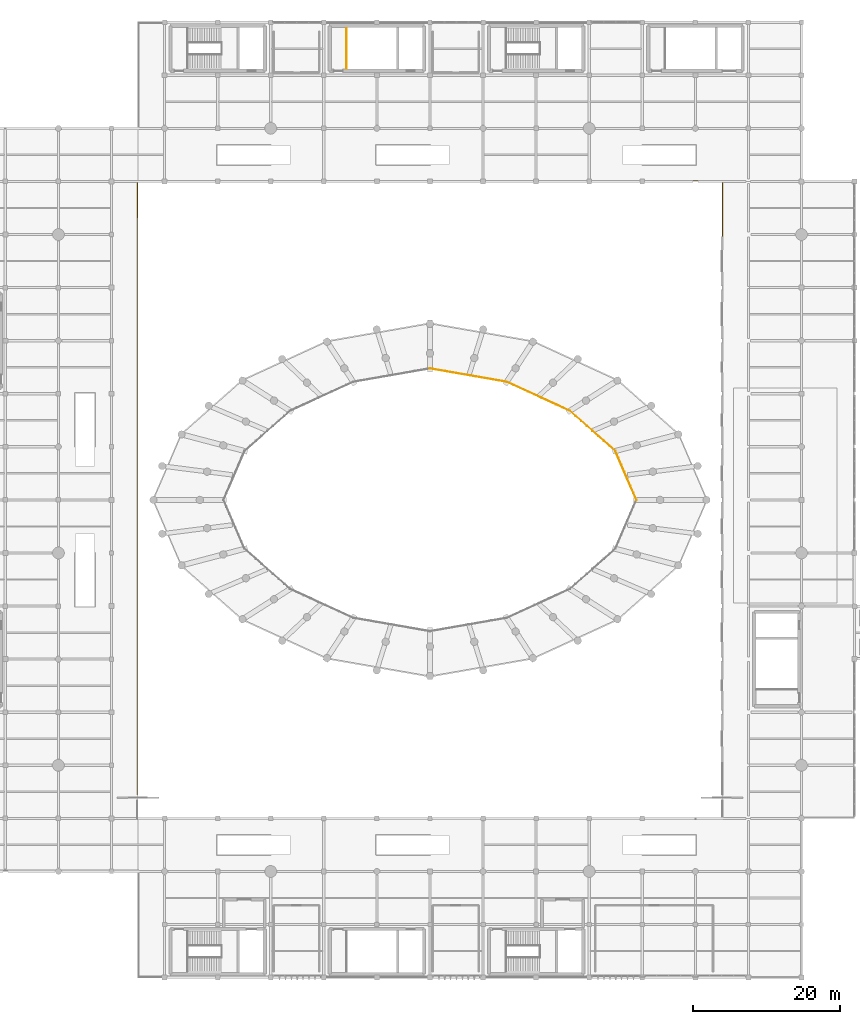
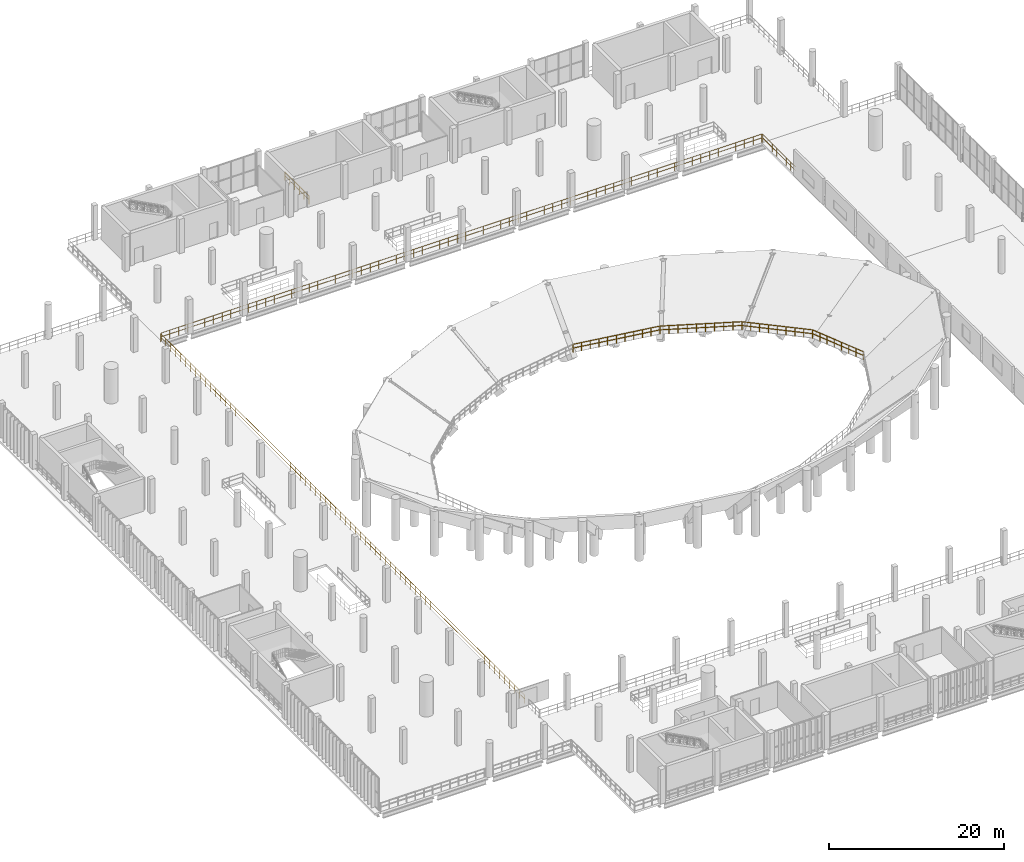
# One storey, part 100 of 105: 6 railings.
"""IFC4 building model written with IfcOpenShell, lengths in metres."""

import ifcopenshell
import ifcopenshell.guid

model = None  # the IFC model being written
_history = None  # IfcOwnerHistory: only IFC2X3 demands one
_inside = {}  # id of a spatial element -> (the spatial element, [elements in it])
_under = {}  # id of a project, library or spatial element -> (it, [spatial elements below it])
_declared = {}  # id of a project -> (the project, [libraries it declares])
_typed = {}  # id of a type object -> (the type object, [elements of that type])
_made_of = {}  # id of a material, layer set ... -> (it, [elements and type objects made of it])


def new_model(schema):
    """Start an empty IFC model of exactly this schema.

    Asked for "IFC4X3", IfcOpenShell would pick the latest addendum, in which some entities
    have other attributes; the version numbers below select the first issue.
    IFC2X3 requires an IfcOwnerHistory on every rooted entity: one is made here for all.
    """
    global model, _history
    if schema == "IFC4X3":
        model = ifcopenshell.file(schema_version=(4, 3, 0, 0))
    else:
        model = ifcopenshell.file(schema=schema)
    _inside.clear()
    _under.clear()
    _declared.clear()
    _typed.clear()
    _made_of.clear()
    _history = None
    if model.schema == "IFC2X3":
        org = make("IfcOrganization", Name="unknown")
        user = make(
            "IfcPersonAndOrganization",
            ThePerson=make("IfcPerson", FamilyName="unknown"),
            TheOrganization=org,
        )
        app = make(
            "IfcApplication",
            ApplicationDeveloper=org,
            Version="unknown",
            ApplicationFullName="unknown",
            ApplicationIdentifier="unknown",
        )
        _history = make(
            "IfcOwnerHistory",
            OwningUser=user,
            OwningApplication=app,
            ChangeAction="ADDED",
            CreationDate=0,
        )
    return model


def make(cls, **values):
    """One entity of the class cls with the attributes given. An attribute that is None is left unset."""
    return model.create_entity(
        cls, **{name: value for name, value in values.items() if value is not None}
    )


def rooted(cls, **values):
    """An entity with a GlobalId (a new one), such as an element, a storey or a relation."""
    return make(cls, GlobalId=ifcopenshell.guid.new(), OwnerHistory=_history, **values)


def si_unit(unit_type, name, prefix=None):
    """IfcSIUnit, for example si_unit("LENGTHUNIT", "METRE", prefix="MILLI")."""
    return make("IfcSIUnit", UnitType=unit_type, Prefix=prefix, Name=name)


def assignment(units):
    """IfcUnitAssignment: the units of a project."""
    return None if units is None else make("IfcUnitAssignment", Units=units)


def point(xyz):
    """IfcCartesianPoint."""
    return None if xyz is None else make("IfcCartesianPoint", Coordinates=xyz)


def direction(xyz):
    """IfcDirection."""
    return None if xyz is None else make("IfcDirection", DirectionRatios=xyz)


def frame(location, z_axis=None, x_axis=None):
    """IfcAxis2Placement3D, a coordinate frame: its origin and axes. An axis left out is left unset."""
    return make(
        "IfcAxis2Placement3D",
        Location=point(location),
        Axis=direction(z_axis),
        RefDirection=direction(x_axis),
    )


def frame_2d(location, x_axis=None):
    """IfcAxis2Placement2D, a coordinate frame in the plane: its origin and x axis."""
    return make(
        "IfcAxis2Placement2D", Location=point(location), RefDirection=direction(x_axis)
    )


def origin():
    """The frame at (0, 0, 0) with its axes left unset."""
    return frame((0.0, 0.0, 0.0))


def origin_2d():
    """The frame at (0, 0) in the plane with its x axis left unset."""
    return frame_2d((0.0, 0.0))


def place(relative_to, where):
    """IfcLocalPlacement: puts the frame where relative to a parent placement (None: the world)."""
    return make(
        "IfcLocalPlacement", PlacementRelTo=relative_to, RelativePlacement=where
    )


def context(
    kind, dimensions, precision=None, world=None, true_north=None, identifier=None
):
    """IfcGeometricRepresentationContext, for example the 3D "Model" context."""
    return make(
        "IfcGeometricRepresentationContext",
        ContextIdentifier=identifier,
        ContextType=kind,
        CoordinateSpaceDimension=dimensions,
        Precision=precision,
        WorldCoordinateSystem=world,
        TrueNorth=true_north,
    )


def subcontext(parent, identifier, kind, view, scale=None):
    """IfcGeometricRepresentationSubContext, for example "Body" below "Model"."""
    return make(
        "IfcGeometricRepresentationSubContext",
        ContextIdentifier=identifier,
        ContextType=kind,
        ParentContext=parent,
        TargetScale=scale,
        TargetView=view,
    )


def project(units=None, contexts=None):
    """IfcProject with its units and contexts."""
    return rooted(
        "IfcProject",
        Name="project",
        RepresentationContexts=contexts,
        UnitsInContext=assignment(units),
    )


def spatial(cls, under=None, at=None, **own):
    """A site, building, storey or space (cls), placed at a placement, below another one or the project."""
    s = rooted(cls, ObjectPlacement=at, **own)
    if under is not None:
        _under.setdefault(under.id(), (under, []))[1].append(s)
    return s


def profile(cls, at=None, kind="AREA", **sizes):
    """A parametric profile (cls). Its sizes go by their IFC names, for example OverallWidth=200.0."""
    return make(cls, ProfileType=kind, Position=at, **sizes)


def circle(**sizes):
    """IfcCircleProfileDef."""
    return profile("IfcCircleProfileDef", **sizes)


def extrude(swept, where, along, depth):
    """IfcExtrudedAreaSolid: the profile swept, set in the frame where, extruded along a direction by depth."""
    return make(
        "IfcExtrudedAreaSolid",
        SweptArea=swept,
        Position=where,
        ExtrudedDirection=direction(along),
        Depth=depth,
    )


def shape(context_of_items, identifier, shape_type, items):
    """IfcShapeRepresentation: the items that make up one representation, for example the "Body"."""
    return make(
        "IfcShapeRepresentation",
        ContextOfItems=context_of_items,
        RepresentationIdentifier=identifier,
        RepresentationType=shape_type,
        Items=items,
    )


def material(Name=None, Category=None):
    """IfcMaterial."""
    return make("IfcMaterial", Name=Name, Category=Category)


def made_of(thing, what):
    """Note that an element or type object is made of a material, layer set ...; save() writes the relation."""
    if what is not None:
        _made_of.setdefault(what.id(), (what, []))[1].append(thing)
    return thing


def type_object(cls, material=None, **own):
    """A type object (cls), such as IfcWallType, which elements share."""
    return made_of(rooted(cls, **own), material)


def element(
    cls,
    number,
    at=None,
    inside=None,
    cuts=None,
    type_object=None,
    material=None,
    context=None,
    identifier="Body",
    shape_type=None,
    held_by="IfcProductDefinitionShape",
    body=None,
    shapes=None,
    **own,
):
    """One element of the class cls, such as IfcWall. Its Tag is "e" and its number.

    at: its placement. inside: the storey or other place that contains it. cuts: it is an
    opening in that element (IfcRelVoidsElement). A single representation is given by context,
    identifier, shape_type and body (its items); several are given by shapes. held_by: the class
    of the entity that holds the representations. save() writes the other relations.
    """
    e = rooted(cls, Tag="e%d" % number, ObjectPlacement=at, **own)
    if body is not None:
        shapes = [shape(context, identifier, shape_type, body)]
    if shapes is not None:
        e.Representation = make(held_by, Representations=shapes)
    if inside is not None:
        _inside.setdefault(inside.id(), (inside, []))[1].append(e)
    if cuts is not None:
        rooted(
            "IfcRelVoidsElement", RelatingBuildingElement=cuts, RelatedOpeningElement=e
        )
    if type_object is not None:
        _typed.setdefault(type_object.id(), (type_object, []))[1].append(e)
    return made_of(e, material)


def aggregate(whole, parts):
    """IfcRelAggregates: a whole, such as a stair, and the parts it consists of."""
    return rooted("IfcRelAggregates", RelatingObject=whole, RelatedObjects=parts)


def save(model, path):
    """Write the relations noted so far, then the file.

    IfcRelAggregates (storeys below a building ...), IfcRelContainedInSpatialStructure (elements
    in a storey), IfcRelDefinesByType, IfcRelAssociatesMaterial and IfcRelDeclares: one each for
    every whole, place, type object, material and project.
    """
    for whole, parts in _under.values():
        aggregate(whole, parts)
    for where, things in _inside.values():
        rooted(
            "IfcRelContainedInSpatialStructure",
            RelatedElements=things,
            RelatingStructure=where,
        )
    for kind, things in _typed.values():
        rooted("IfcRelDefinesByType", RelatedObjects=things, RelatingType=kind)
    for what, things in _made_of.values():
        rooted("IfcRelAssociatesMaterial", RelatedObjects=things, RelatingMaterial=what)
    for by, libraries in _declared.values():
        rooted("IfcRelDeclares", RelatingContext=by, RelatedDefinitions=libraries)
    model.write(path)


model = new_model("IFC4")

# Units and contexts
model_context = context("Model", 3, precision=1e-05, world=origin(), true_north=direction((0.0, 1.0)))
body_context = subcontext(model_context, "Body", "Model", "MODEL_VIEW")
ifc_project = project(units=[si_unit("LENGTHUNIT", "METRE"), si_unit("AREAUNIT", "SQUARE_METRE"), si_unit("VOLUMEUNIT", "CUBIC_METRE"), si_unit("PLANEANGLEUNIT", "RADIAN"), si_unit("MASSUNIT", "GRAM", prefix="KILO")], contexts=[model_context])

# Site, building, storey
site_placement = place(None, origin())
site = spatial("IfcSite", under=ifc_project, at=site_placement, CompositionType="ELEMENT")
building_placement = place(site_placement, origin())
building = spatial("IfcBuilding", under=site, at=building_placement, Name="Qandorah Velis Arena", CompositionType="ELEMENT")
storey_placement = place(building_placement, frame((0.0, 0.0, 13.800048828125)))
storey = spatial("IfcBuildingStorey", under=building, at=storey_placement, Name="L03", CompositionType="ELEMENT", Elevation=13.800048828125)

# Railings
ifc_material = material(Name="Stainless steel 316", Category="steel")
railing_type = type_object("IfcRailingType", Name="ARC-RL-GRD1150", PredefinedType="GUARDRAIL", material=ifc_material)
railing_1_placement = place(storey_placement, frame((53.469970703125, 123.31005859375, 0.0)))
element("IfcRailing", 1, at=railing_1_placement, inside=storey, type_object=railing_type, Name="Stair ST10 top well guardrail L03", PredefinedType="GUARDRAIL", context=body_context, shape_type="SweptSolid", body=[
    extrude(circle(Radius=0.02392578125, at=origin_2d()), frame((0.0, 0.0, 1.1259765625), z_axis=(0.0, 1.0, 0.0), x_axis=(-1.0, 0.0, 0.0)), (0.0, 0.0, 1.0), 5.47998046875),
    extrude(circle(Radius=0.02392578125, at=origin_2d()), frame((0.0, 0.0, 0.597900390625), z_axis=(0.0, 1.0, 0.0), x_axis=(-1.0, 0.0, 0.0)), (0.0, 0.0, 1.0), 5.47998046875),
    extrude(circle(Radius=0.02099609375, at=origin_2d()), origin(), (0.0, 0.0, 1.0), 1.101806640625),
    extrude(circle(Radius=0.02099609375, at=origin_2d()), frame((0.0, 1.095947265625, 0.0)), (0.0, 0.0, 1.0), 1.101806640625),
    extrude(circle(Radius=0.02099609375, at=origin_2d()), frame((0.0, 2.19189453125, 0.0)), (0.0, 0.0, 1.0), 1.101806640625),
    extrude(circle(Radius=0.02099609375, at=origin_2d()), frame((0.0, 3.2880859375, 0.0)), (0.0, 0.0, 1.0), 1.101806640625),
    extrude(circle(Radius=0.02099609375, at=origin_2d()), frame((0.0, 4.384033203125, 0.0)), (0.0, 0.0, 1.0), 1.101806640625),
    extrude(circle(Radius=0.02099609375, at=origin_2d()), frame((0.0, 5.47998046875, 0.0)), (0.0, 0.0, 1.0), 1.101806640625),
])
railing_2_placement = place(storey_placement, frame((92.800048828125, 64.800048828125, 0.0)))
element("IfcRailing", 2, at=railing_2_placement, inside=storey, type_object=railing_type, Name="Upper seating tier front sightline guardrail 01", PredefinedType="GUARDRAIL", context=body_context, shape_type="SweptSolid", body=[
    extrude(circle(Radius=0.02392578125, at=origin_2d()), frame((0.0, 0.0, 1.1259765625), z_axis=(-0.395020901566, 0.91867213266, 0.0), x_axis=(-0.91867213266, -0.395020901566, 0.0)), (0.0, 0.0, 1.0), 7.219970703125),
    extrude(circle(Radius=0.02392578125, at=origin_2d()), frame((0.0, 0.0, 0.597900390625), z_axis=(-0.395020901566, 0.91867213266, 0.0), x_axis=(-0.91867213266, -0.395020901566, 0.0)), (0.0, 0.0, 1.0), 7.219970703125),
    extrude(circle(Radius=0.02099609375, at=origin_2d()), origin(), (0.0, 0.0, 1.0), 1.101806640625),
    extrude(circle(Radius=0.02099609375, at=origin_2d()), frame((-0.407470703125, 0.947509765625, 0.0)), (0.0, 0.0, 1.0), 1.101806640625),
    extrude(circle(Radius=0.02099609375, at=origin_2d()), frame((-0.81494140625, 1.89501953125, 0.0)), (0.0, 0.0, 1.0), 1.101806640625),
    extrude(circle(Radius=0.02099609375, at=origin_2d()), frame((-1.222412109375, 2.842529296875, 0.0)), (0.0, 0.0, 1.0), 1.101806640625),
    extrude(circle(Radius=0.02099609375, at=origin_2d()), frame((-1.629638671875, 3.790283203125, 0.0)), (0.0, 0.0, 1.0), 1.101806640625),
    extrude(circle(Radius=0.02099609375, at=origin_2d()), frame((-2.037109375, 4.73779296875, 0.0)), (0.0, 0.0, 1.0), 1.101806640625),
    extrude(circle(Radius=0.02099609375, at=origin_2d()), frame((-2.444580078125, 5.685302734375, 0.0)), (0.0, 0.0, 1.0), 1.101806640625),
    extrude(circle(Radius=0.02099609375, at=origin_2d()), frame((-2.85205078125, 6.6328125, 0.0)), (0.0, 0.0, 1.0), 1.101806640625),
])
railing_3_placement = place(storey_placement, frame((89.947998046875, 71.432861328125, 0.0)))
element("IfcRailing", 3, at=railing_3_placement, inside=storey, type_object=railing_type, Name="Upper seating tier front sightline guardrail 02", PredefinedType="GUARDRAIL", context=body_context, shape_type="SweptSolid", body=[
    extrude(circle(Radius=0.02392578125, at=origin_2d()), frame((0.0, 0.0, 1.1259765625), z_axis=(-0.749462177076, 0.662047162317, 0.0), x_axis=(-0.662047162317, -0.749462177076, 0.0)), (0.0, 0.0, 1.0), 8.2333984375),
    extrude(circle(Radius=0.02392578125, at=origin_2d()), frame((0.0, 0.0, 0.597900390625), z_axis=(-0.749462177076, 0.662047162317, 0.0), x_axis=(-0.662047162317, -0.749462177076, 0.0)), (0.0, 0.0, 1.0), 8.2333984375),
    extrude(circle(Radius=0.02099609375, at=origin_2d()), origin(), (0.0, 0.0, 1.0), 1.101806640625),
    extrude(circle(Radius=0.02099609375, at=origin_2d()), frame((-0.771240234375, 0.681396484375, 0.0)), (0.0, 0.0, 1.0), 1.101806640625),
    extrude(circle(Radius=0.02099609375, at=origin_2d()), frame((-1.542724609375, 1.36279296875, 0.0)), (0.0, 0.0, 1.0), 1.101806640625),
    extrude(circle(Radius=0.02099609375, at=origin_2d()), frame((-2.31396484375, 2.044189453125, 0.0)), (0.0, 0.0, 1.0), 1.101806640625),
    extrude(circle(Radius=0.02099609375, at=origin_2d()), frame((-3.08544921875, 2.7255859375, 0.0)), (0.0, 0.0, 1.0), 1.101806640625),
    extrude(circle(Radius=0.02099609375, at=origin_2d()), frame((-3.856689453125, 3.40673828125, 0.0)), (0.0, 0.0, 1.0), 1.101806640625),
    extrude(circle(Radius=0.02099609375, at=origin_2d()), frame((-4.6279296875, 4.088134765625, 0.0)), (0.0, 0.0, 1.0), 1.101806640625),
    extrude(circle(Radius=0.02099609375, at=origin_2d()), frame((-5.3994140625, 4.76953125, 0.0)), (0.0, 0.0, 1.0), 1.101806640625),
    extrude(circle(Radius=0.02099609375, at=origin_2d()), frame((-6.170654296875, 5.450927734375, 0.0)), (0.0, 0.0, 1.0), 1.101806640625),
])
railing_4_placement = place(storey_placement, frame((83.77734375, 76.8837890625, 0.0)))
element("IfcRailing", 4, at=railing_4_placement, inside=storey, type_object=railing_type, Name="Upper seating tier front sightline guardrail 03", PredefinedType="GUARDRAIL", context=body_context, shape_type="SweptSolid", body=[
    extrude(circle(Radius=0.02392578125, at=origin_2d()), frame((0.0, 0.0, 1.1259765625), z_axis=(-0.908843399274, 0.417137478053, 0.0), x_axis=(-0.417137478053, -0.908843399274, 0.0)), (0.0, 0.0, 1.0), 9.41943359375),
    extrude(circle(Radius=0.02392578125, at=origin_2d()), frame((0.0, 0.0, 0.597900390625), z_axis=(-0.908843399274, 0.417137478053, 0.0), x_axis=(-0.417137478053, -0.908843399274, 0.0)), (0.0, 0.0, 1.0), 9.41943359375),
    extrude(circle(Radius=0.02099609375, at=origin_2d()), origin(), (0.0, 0.0, 1.0), 1.101806640625),
    extrude(circle(Radius=0.02099609375, at=origin_2d()), frame((-0.951171875, 0.4365234375, 0.0)), (0.0, 0.0, 1.0), 1.101806640625),
    extrude(circle(Radius=0.02099609375, at=origin_2d()), frame((-1.90234375, 0.873046875, 0.0)), (0.0, 0.0, 1.0), 1.101806640625),
    extrude(circle(Radius=0.02099609375, at=origin_2d()), frame((-2.853515625, 1.309814453125, 0.0)), (0.0, 0.0, 1.0), 1.101806640625),
    extrude(circle(Radius=0.02099609375, at=origin_2d()), frame((-3.8046875, 1.746337890625, 0.0)), (0.0, 0.0, 1.0), 1.101806640625),
    extrude(circle(Radius=0.02099609375, at=origin_2d()), frame((-4.756103515625, 2.182861328125, 0.0)), (0.0, 0.0, 1.0), 1.101806640625),
    extrude(circle(Radius=0.02099609375, at=origin_2d()), frame((-5.707275390625, 2.619384765625, 0.0)), (0.0, 0.0, 1.0), 1.101806640625),
    extrude(circle(Radius=0.02099609375, at=origin_2d()), frame((-6.658447265625, 3.05615234375, 0.0)), (0.0, 0.0, 1.0), 1.101806640625),
    extrude(circle(Radius=0.02099609375, at=origin_2d()), frame((-7.609619140625, 3.49267578125, 0.0)), (0.0, 0.0, 1.0), 1.101806640625),
    extrude(circle(Radius=0.02099609375, at=origin_2d()), frame((-8.560791015625, 3.92919921875, 0.0)), (0.0, 0.0, 1.0), 1.101806640625),
])
railing_5_placement = place(storey_placement, frame((75.216552734375, 80.81298828125, 0.0)))
element("IfcRailing", 5, at=railing_5_placement, inside=storey, type_object=railing_type, Name="Upper seating tier front sightline guardrail 04", PredefinedType="GUARDRAIL", context=body_context, shape_type="SweptSolid", body=[
    extrude(circle(Radius=0.02392578125, at=origin_2d()), frame((0.0, 0.0, 1.1259765625), z_axis=(-0.985138286341, 0.1717630833, 0.0), x_axis=(-0.1717630833, -0.985138286341, 0.0)), (0.0, 0.0, 1.0), 10.57373046875),
    extrude(circle(Radius=0.02392578125, at=origin_2d()), frame((0.0, 0.0, 0.597900390625), z_axis=(-0.985138286341, 0.1717630833, 0.0), x_axis=(-0.1717630833, -0.985138286341, 0.0)), (0.0, 0.0, 1.0), 10.57373046875),
    extrude(circle(Radius=0.02099609375, at=origin_2d()), origin(), (0.0, 0.0, 1.0), 1.101806640625),
    extrude(circle(Radius=0.02099609375, at=origin_2d()), frame((-1.041748046875, 0.181640625, 0.0)), (0.0, 0.0, 1.0), 1.101806640625),
    extrude(circle(Radius=0.02099609375, at=origin_2d()), frame((-2.083251953125, 0.36328125, 0.0)), (0.0, 0.0, 1.0), 1.101806640625),
    extrude(circle(Radius=0.02099609375, at=origin_2d()), frame((-3.125, 0.544921875, 0.0)), (0.0, 0.0, 1.0), 1.101806640625),
    extrude(circle(Radius=0.02099609375, at=origin_2d()), frame((-4.16650390625, 0.7265625, 0.0)), (0.0, 0.0, 1.0), 1.101806640625),
    extrude(circle(Radius=0.02099609375, at=origin_2d()), frame((-5.208251953125, 0.908203125, 0.0)), (0.0, 0.0, 1.0), 1.101806640625),
    extrude(circle(Radius=0.02099609375, at=origin_2d()), frame((-6.25, 1.089599609375, 0.0)), (0.0, 0.0, 1.0), 1.101806640625),
    extrude(circle(Radius=0.02099609375, at=origin_2d()), frame((-7.29150390625, 1.271240234375, 0.0)), (0.0, 0.0, 1.0), 1.101806640625),
    extrude(circle(Radius=0.02099609375, at=origin_2d()), frame((-8.333251953125, 1.452880859375, 0.0)), (0.0, 0.0, 1.0), 1.101806640625),
    extrude(circle(Radius=0.02099609375, at=origin_2d()), frame((-9.374755859375, 1.634521484375, 0.0)), (0.0, 0.0, 1.0), 1.101806640625),
    extrude(circle(Radius=0.02099609375, at=origin_2d()), frame((-10.41650390625, 1.816162109375, 0.0)), (0.0, 0.0, 1.0), 1.101806640625),
])
railing_6_placement = place(storey_placement, frame((104.5, 100.550048828125, 0.0)))
element("IfcRailing", 6, at=railing_6_placement, inside=storey, type_object=railing_type, Name="Slab edge safety guardrail L03-222", PredefinedType="GUARDRAIL", context=body_context, shape_type="SweptSolid", body=[
    extrude(circle(Radius=0.02392578125, at=origin_2d()), frame((0.0, 0.0, 1.1259765625), z_axis=(0.0, 1.0, 0.0), x_axis=(-1.0, 0.0, 0.0)), (0.0, 0.0, 1.0), 7.449951171875),
    extrude(circle(Radius=0.02392578125, at=origin_2d()), frame((0.0, 0.0, 0.597900390625), z_axis=(0.0, 1.0, 0.0), x_axis=(-1.0, 0.0, 0.0)), (0.0, 0.0, 1.0), 7.449951171875),
    extrude(circle(Radius=0.02392578125, at=origin_2d()), frame((0.0, 7.449951171875, 1.1259765625), z_axis=(-0.634493378388, 0.772928297309, 0.0), x_axis=(-0.772928297309, -0.634493378388, 0.0)), (0.0, 0.0, 1.0), 0.126953125),
    extrude(circle(Radius=0.02392578125, at=origin_2d()), frame((0.0, 7.449951171875, 0.597900390625), z_axis=(-0.634493378388, 0.772928297309, 0.0), x_axis=(-0.772928297309, -0.634493378388, 0.0)), (0.0, 0.0, 1.0), 0.126953125),
    extrude(circle(Radius=0.02392578125, at=origin_2d()), frame((-0.08056640625, 7.548095703125, 1.1259765625), z_axis=(-0.999999999696, 2.4654604e-05, 0.0), x_axis=(-2.4654604e-05, -0.999999999696, 0.0)), (0.0, 0.0, 1.0), 79.219482421875),
    extrude(circle(Radius=0.02392578125, at=origin_2d()), frame((-0.08056640625, 7.548095703125, 0.597900390625), z_axis=(-0.999999999696, 2.4654604e-05, 0.0), x_axis=(-2.4654604e-05, -0.999999999696, 0.0)), (0.0, 0.0, 1.0), 79.219482421875),
    extrude(circle(Radius=0.02392578125, at=origin_2d()), frame((-79.300048828125, 7.550048828125, 1.1259765625), z_axis=(-0.772928297309, -0.634493378388, 0.0), x_axis=(0.634493378388, -0.772928297309, 0.0)), (0.0, 0.0, 1.0), 0.126953125),
    extrude(circle(Radius=0.02392578125, at=origin_2d()), frame((-79.300048828125, 7.550048828125, 0.597900390625), z_axis=(-0.772928297309, -0.634493378388, 0.0), x_axis=(0.634493378388, -0.772928297309, 0.0)), (0.0, 0.0, 1.0), 0.126953125),
    extrude(circle(Radius=0.02392578125, at=origin_2d()), frame((-79.398193359375, 7.469482421875, 1.1259765625), z_axis=(-2.0548227e-05, -0.999999999789, 0.0), x_axis=(0.999999999789, -2.0548227e-05, 0.0)), (0.0, 0.0, 1.0), 83.16943359375),
    extrude(circle(Radius=0.02392578125, at=origin_2d()), frame((-79.398193359375, 7.469482421875, 0.597900390625), z_axis=(-2.0548227e-05, -0.999999999789, 0.0), x_axis=(0.999999999789, -2.0548227e-05, 0.0)), (0.0, 0.0, 1.0), 83.16943359375),
    extrude(circle(Radius=0.02099609375, at=origin_2d()), origin(), (0.0, 0.0, 1.0), 1.101806640625),
    extrude(circle(Radius=0.02099609375, at=origin_2d()), frame((0.0, 1.064208984375, 0.0)), (0.0, 0.0, 1.0), 1.101806640625),
    extrude(circle(Radius=0.02099609375, at=origin_2d()), frame((0.0, 2.128662109375, 0.0)), (0.0, 0.0, 1.0), 1.101806640625),
    extrude(circle(Radius=0.02099609375, at=origin_2d()), frame((0.0, 3.19287109375, 0.0)), (0.0, 0.0, 1.0), 1.101806640625),
    extrude(circle(Radius=0.02099609375, at=origin_2d()), frame((0.0, 4.257080078125, 0.0)), (0.0, 0.0, 1.0), 1.101806640625),
    extrude(circle(Radius=0.02099609375, at=origin_2d()), frame((0.0, 5.3212890625, 0.0)), (0.0, 0.0, 1.0), 1.101806640625),
    extrude(circle(Radius=0.02099609375, at=origin_2d()), frame((0.0, 6.3857421875, 0.0)), (0.0, 0.0, 1.0), 1.101806640625),
    extrude(circle(Radius=0.02099609375, at=origin_2d()), frame((0.0, 7.449951171875, 0.0)), (0.0, 0.0, 1.0), 1.101806640625),
    extrude(circle(Radius=0.02099609375, at=origin_2d()), frame((-0.08056640625, 7.548095703125, 0.0)), (0.0, 0.0, 1.0), 1.101806640625),
    extrude(circle(Radius=0.02099609375, at=origin_2d()), frame((-1.228759765625, 7.548095703125, 0.0)), (0.0, 0.0, 1.0), 1.101806640625),
    extrude(circle(Radius=0.02099609375, at=origin_2d()), frame((-2.376708984375, 7.548095703125, 0.0)), (0.0, 0.0, 1.0), 1.101806640625),
    extrude(circle(Radius=0.02099609375, at=origin_2d()), frame((-3.52490234375, 7.548095703125, 0.0)), (0.0, 0.0, 1.0), 1.101806640625),
    extrude(circle(Radius=0.02099609375, at=origin_2d()), frame((-4.673095703125, 7.548095703125, 0.0)), (0.0, 0.0, 1.0), 1.101806640625),
    extrude(circle(Radius=0.02099609375, at=origin_2d()), frame((-5.821044921875, 7.54833984375, 0.0)), (0.0, 0.0, 1.0), 1.101806640625),
    extrude(circle(Radius=0.02099609375, at=origin_2d()), frame((-6.96923828125, 7.54833984375, 0.0)), (0.0, 0.0, 1.0), 1.101806640625),
    extrude(circle(Radius=0.02099609375, at=origin_2d()), frame((-8.117431640625, 7.54833984375, 0.0)), (0.0, 0.0, 1.0), 1.101806640625),
    extrude(circle(Radius=0.02099609375, at=origin_2d()), frame((-9.265380859375, 7.54833984375, 0.0)), (0.0, 0.0, 1.0), 1.101806640625),
    extrude(circle(Radius=0.02099609375, at=origin_2d()), frame((-10.41357421875, 7.54833984375, 0.0)), (0.0, 0.0, 1.0), 1.101806640625),
    extrude(circle(Radius=0.02099609375, at=origin_2d()), frame((-11.561767578125, 7.54833984375, 0.0)), (0.0, 0.0, 1.0), 1.101806640625),
    extrude(circle(Radius=0.02099609375, at=origin_2d()), frame((-12.709716796875, 7.54833984375, 0.0)), (0.0, 0.0, 1.0), 1.101806640625),
    extrude(circle(Radius=0.02099609375, at=origin_2d()), frame((-13.85791015625, 7.54833984375, 0.0)), (0.0, 0.0, 1.0), 1.101806640625),
    extrude(circle(Radius=0.02099609375, at=origin_2d()), frame((-15.005859375, 7.548583984375, 0.0)), (0.0, 0.0, 1.0), 1.101806640625),
    extrude(circle(Radius=0.02099609375, at=origin_2d()), frame((-16.154052734375, 7.548583984375, 0.0)), (0.0, 0.0, 1.0), 1.101806640625),
    extrude(circle(Radius=0.02099609375, at=origin_2d()), frame((-17.30224609375, 7.548583984375, 0.0)), (0.0, 0.0, 1.0), 1.101806640625),
    extrude(circle(Radius=0.02099609375, at=origin_2d()), frame((-18.4501953125, 7.548583984375, 0.0)), (0.0, 0.0, 1.0), 1.101806640625),
    extrude(circle(Radius=0.02099609375, at=origin_2d()), frame((-19.598388671875, 7.548583984375, 0.0)), (0.0, 0.0, 1.0), 1.101806640625),
    extrude(circle(Radius=0.02099609375, at=origin_2d()), frame((-20.74658203125, 7.548583984375, 0.0)), (0.0, 0.0, 1.0), 1.101806640625),
    extrude(circle(Radius=0.02099609375, at=origin_2d()), frame((-21.89453125, 7.548583984375, 0.0)), (0.0, 0.0, 1.0), 1.101806640625),
    extrude(circle(Radius=0.02099609375, at=origin_2d()), frame((-23.042724609375, 7.548583984375, 0.0)), (0.0, 0.0, 1.0), 1.101806640625),
    extrude(circle(Radius=0.02099609375, at=origin_2d()), frame((-24.19091796875, 7.548583984375, 0.0)), (0.0, 0.0, 1.0), 1.101806640625),
    extrude(circle(Radius=0.02099609375, at=origin_2d()), frame((-25.3388671875, 7.548828125, 0.0)), (0.0, 0.0, 1.0), 1.101806640625),
    extrude(circle(Radius=0.02099609375, at=origin_2d()), frame((-26.487060546875, 7.548828125, 0.0)), (0.0, 0.0, 1.0), 1.101806640625),
    extrude(circle(Radius=0.02099609375, at=origin_2d()), frame((-27.63525390625, 7.548828125, 0.0)), (0.0, 0.0, 1.0), 1.101806640625),
    extrude(circle(Radius=0.02099609375, at=origin_2d()), frame((-28.783203125, 7.548828125, 0.0)), (0.0, 0.0, 1.0), 1.101806640625),
    extrude(circle(Radius=0.02099609375, at=origin_2d()), frame((-29.931396484375, 7.548828125, 0.0)), (0.0, 0.0, 1.0), 1.101806640625),
    extrude(circle(Radius=0.02099609375, at=origin_2d()), frame((-31.07958984375, 7.548828125, 0.0)), (0.0, 0.0, 1.0), 1.101806640625),
    extrude(circle(Radius=0.02099609375, at=origin_2d()), frame((-32.2275390625, 7.548828125, 0.0)), (0.0, 0.0, 1.0), 1.101806640625),
    extrude(circle(Radius=0.02099609375, at=origin_2d()), frame((-33.375732421875, 7.548828125, 0.0)), (0.0, 0.0, 1.0), 1.101806640625),
    extrude(circle(Radius=0.02099609375, at=origin_2d()), frame((-34.52392578125, 7.548828125, 0.0)), (0.0, 0.0, 1.0), 1.101806640625),
    extrude(circle(Radius=0.02099609375, at=origin_2d()), frame((-35.671875, 7.549072265625, 0.0)), (0.0, 0.0, 1.0), 1.101806640625),
    extrude(circle(Radius=0.02099609375, at=origin_2d()), frame((-36.820068359375, 7.549072265625, 0.0)), (0.0, 0.0, 1.0), 1.101806640625),
    extrude(circle(Radius=0.02099609375, at=origin_2d()), frame((-37.96826171875, 7.549072265625, 0.0)), (0.0, 0.0, 1.0), 1.101806640625),
    extrude(circle(Radius=0.02099609375, at=origin_2d()), frame((-39.1162109375, 7.549072265625, 0.0)), (0.0, 0.0, 1.0), 1.101806640625),
    extrude(circle(Radius=0.02099609375, at=origin_2d()), frame((-40.264404296875, 7.549072265625, 0.0)), (0.0, 0.0, 1.0), 1.101806640625),
    extrude(circle(Radius=0.02099609375, at=origin_2d()), frame((-41.412353515625, 7.549072265625, 0.0)), (0.0, 0.0, 1.0), 1.101806640625),
    extrude(circle(Radius=0.02099609375, at=origin_2d()), frame((-42.560546875, 7.549072265625, 0.0)), (0.0, 0.0, 1.0), 1.101806640625),
    extrude(circle(Radius=0.02099609375, at=origin_2d()), frame((-43.708740234375, 7.549072265625, 0.0)), (0.0, 0.0, 1.0), 1.101806640625),
    extrude(circle(Radius=0.02099609375, at=origin_2d()), frame((-44.856689453125, 7.54931640625, 0.0)), (0.0, 0.0, 1.0), 1.101806640625),
    extrude(circle(Radius=0.02099609375, at=origin_2d()), frame((-46.0048828125, 7.54931640625, 0.0)), (0.0, 0.0, 1.0), 1.101806640625),
    extrude(circle(Radius=0.02099609375, at=origin_2d()), frame((-47.153076171875, 7.54931640625, 0.0)), (0.0, 0.0, 1.0), 1.101806640625),
    extrude(circle(Radius=0.02099609375, at=origin_2d()), frame((-48.301025390625, 7.54931640625, 0.0)), (0.0, 0.0, 1.0), 1.101806640625),
    extrude(circle(Radius=0.02099609375, at=origin_2d()), frame((-49.44921875, 7.54931640625, 0.0)), (0.0, 0.0, 1.0), 1.101806640625),
    extrude(circle(Radius=0.02099609375, at=origin_2d()), frame((-50.597412109375, 7.54931640625, 0.0)), (0.0, 0.0, 1.0), 1.101806640625),
    extrude(circle(Radius=0.02099609375, at=origin_2d()), frame((-51.745361328125, 7.54931640625, 0.0)), (0.0, 0.0, 1.0), 1.101806640625),
    extrude(circle(Radius=0.02099609375, at=origin_2d()), frame((-52.8935546875, 7.54931640625, 0.0)), (0.0, 0.0, 1.0), 1.101806640625),
    extrude(circle(Radius=0.02099609375, at=origin_2d()), frame((-54.041748046875, 7.54931640625, 0.0)), (0.0, 0.0, 1.0), 1.101806640625),
    extrude(circle(Radius=0.02099609375, at=origin_2d()), frame((-55.189697265625, 7.549560546875, 0.0)), (0.0, 0.0, 1.0), 1.101806640625),
    extrude(circle(Radius=0.02099609375, at=origin_2d()), frame((-56.337890625, 7.549560546875, 0.0)), (0.0, 0.0, 1.0), 1.101806640625),
    extrude(circle(Radius=0.02099609375, at=origin_2d()), frame((-57.486083984375, 7.549560546875, 0.0)), (0.0, 0.0, 1.0), 1.101806640625),
    extrude(circle(Radius=0.02099609375, at=origin_2d()), frame((-58.634033203125, 7.549560546875, 0.0)), (0.0, 0.0, 1.0), 1.101806640625),
    extrude(circle(Radius=0.02099609375, at=origin_2d()), frame((-59.7822265625, 7.549560546875, 0.0)), (0.0, 0.0, 1.0), 1.101806640625),
    extrude(circle(Radius=0.02099609375, at=origin_2d()), frame((-60.930419921875, 7.549560546875, 0.0)), (0.0, 0.0, 1.0), 1.101806640625),
    extrude(circle(Radius=0.02099609375, at=origin_2d()), frame((-62.078369140625, 7.549560546875, 0.0)), (0.0, 0.0, 1.0), 1.101806640625),
    extrude(circle(Radius=0.02099609375, at=origin_2d()), frame((-63.2265625, 7.549560546875, 0.0)), (0.0, 0.0, 1.0), 1.101806640625),
    extrude(circle(Radius=0.02099609375, at=origin_2d()), frame((-64.374755859375, 7.549560546875, 0.0)), (0.0, 0.0, 1.0), 1.101806640625),
    extrude(circle(Radius=0.02099609375, at=origin_2d()), frame((-65.522705078125, 7.5498046875, 0.0)), (0.0, 0.0, 1.0), 1.101806640625),
    extrude(circle(Radius=0.02099609375, at=origin_2d()), frame((-66.6708984375, 7.5498046875, 0.0)), (0.0, 0.0, 1.0), 1.101806640625),
    extrude(circle(Radius=0.02099609375, at=origin_2d()), frame((-67.81884765625, 7.5498046875, 0.0)), (0.0, 0.0, 1.0), 1.101806640625),
    extrude(circle(Radius=0.02099609375, at=origin_2d()), frame((-68.967041015625, 7.5498046875, 0.0)), (0.0, 0.0, 1.0), 1.101806640625),
    extrude(circle(Radius=0.02099609375, at=origin_2d()), frame((-70.115234375, 7.5498046875, 0.0)), (0.0, 0.0, 1.0), 1.101806640625),
    extrude(circle(Radius=0.02099609375, at=origin_2d()), frame((-71.26318359375, 7.5498046875, 0.0)), (0.0, 0.0, 1.0), 1.101806640625),
    extrude(circle(Radius=0.02099609375, at=origin_2d()), frame((-72.411376953125, 7.5498046875, 0.0)), (0.0, 0.0, 1.0), 1.101806640625),
    extrude(circle(Radius=0.02099609375, at=origin_2d()), frame((-73.5595703125, 7.5498046875, 0.0)), (0.0, 0.0, 1.0), 1.101806640625),
    extrude(circle(Radius=0.02099609375, at=origin_2d()), frame((-74.70751953125, 7.550048828125, 0.0)), (0.0, 0.0, 1.0), 1.101806640625),
    extrude(circle(Radius=0.02099609375, at=origin_2d()), frame((-75.855712890625, 7.550048828125, 0.0)), (0.0, 0.0, 1.0), 1.101806640625),
    extrude(circle(Radius=0.02099609375, at=origin_2d()), frame((-77.00390625, 7.550048828125, 0.0)), (0.0, 0.0, 1.0), 1.101806640625),
    extrude(circle(Radius=0.02099609375, at=origin_2d()), frame((-78.15185546875, 7.550048828125, 0.0)), (0.0, 0.0, 1.0), 1.101806640625),
    extrude(circle(Radius=0.02099609375, at=origin_2d()), frame((-79.300048828125, 7.550048828125, 0.0)), (0.0, 0.0, 1.0), 1.101806640625),
    extrude(circle(Radius=0.02099609375, at=origin_2d()), frame((-79.398193359375, 7.469482421875, 0.0)), (0.0, 0.0, 1.0), 1.101806640625),
    extrude(circle(Radius=0.02099609375, at=origin_2d()), frame((-79.398193359375, 6.330078125, 0.0)), (0.0, 0.0, 1.0), 1.101806640625),
    extrude(circle(Radius=0.02099609375, at=origin_2d()), frame((-79.398193359375, 5.19091796875, 0.0)), (0.0, 0.0, 1.0), 1.101806640625),
    extrude(circle(Radius=0.02099609375, at=origin_2d()), frame((-79.398193359375, 4.051513671875, 0.0)), (0.0, 0.0, 1.0), 1.101806640625),
    extrude(circle(Radius=0.02099609375, at=origin_2d()), frame((-79.398193359375, 2.912353515625, 0.0)), (0.0, 0.0, 1.0), 1.101806640625),
    extrude(circle(Radius=0.02099609375, at=origin_2d()), frame((-79.398193359375, 1.77294921875, 0.0)), (0.0, 0.0, 1.0), 1.101806640625),
    extrude(circle(Radius=0.02099609375, at=origin_2d()), frame((-79.3984375, 0.633544921875, 0.0)), (0.0, 0.0, 1.0), 1.101806640625),
    extrude(circle(Radius=0.02099609375, at=origin_2d()), frame((-79.3984375, -0.505615234375, 0.0)), (0.0, 0.0, 1.0), 1.101806640625),
    extrude(circle(Radius=0.02099609375, at=origin_2d()), frame((-79.3984375, -1.64501953125, 0.0)), (0.0, 0.0, 1.0), 1.101806640625),
    extrude(circle(Radius=0.02099609375, at=origin_2d()), frame((-79.3984375, -2.7841796875, 0.0)), (0.0, 0.0, 1.0), 1.101806640625),
    extrude(circle(Radius=0.02099609375, at=origin_2d()), frame((-79.3984375, -3.923583984375, 0.0)), (0.0, 0.0, 1.0), 1.101806640625),
    extrude(circle(Radius=0.02099609375, at=origin_2d()), frame((-79.3984375, -5.06298828125, 0.0)), (0.0, 0.0, 1.0), 1.101806640625),
    extrude(circle(Radius=0.02099609375, at=origin_2d()), frame((-79.3984375, -6.2021484375, 0.0)), (0.0, 0.0, 1.0), 1.101806640625),
    extrude(circle(Radius=0.02099609375, at=origin_2d()), frame((-79.3984375, -7.341552734375, 0.0)), (0.0, 0.0, 1.0), 1.101806640625),
    extrude(circle(Radius=0.02099609375, at=origin_2d()), frame((-79.3984375, -8.480712890625, 0.0)), (0.0, 0.0, 1.0), 1.101806640625),
    extrude(circle(Radius=0.02099609375, at=origin_2d()), frame((-79.3984375, -9.6201171875, 0.0)), (0.0, 0.0, 1.0), 1.101806640625),
    extrude(circle(Radius=0.02099609375, at=origin_2d()), frame((-79.398681640625, -10.759521484375, 0.0)), (0.0, 0.0, 1.0), 1.101806640625),
    extrude(circle(Radius=0.02099609375, at=origin_2d()), frame((-79.398681640625, -11.898681640625, 0.0)), (0.0, 0.0, 1.0), 1.101806640625),
    extrude(circle(Radius=0.02099609375, at=origin_2d()), frame((-79.398681640625, -13.0380859375, 0.0)), (0.0, 0.0, 1.0), 1.101806640625),
    extrude(circle(Radius=0.02099609375, at=origin_2d()), frame((-79.398681640625, -14.17724609375, 0.0)), (0.0, 0.0, 1.0), 1.101806640625),
    extrude(circle(Radius=0.02099609375, at=origin_2d()), frame((-79.398681640625, -15.316650390625, 0.0)), (0.0, 0.0, 1.0), 1.101806640625),
    extrude(circle(Radius=0.02099609375, at=origin_2d()), frame((-79.398681640625, -16.4560546875, 0.0)), (0.0, 0.0, 1.0), 1.101806640625),
    extrude(circle(Radius=0.02099609375, at=origin_2d()), frame((-79.398681640625, -17.59521484375, 0.0)), (0.0, 0.0, 1.0), 1.101806640625),
    extrude(circle(Radius=0.02099609375, at=origin_2d()), frame((-79.398681640625, -18.734619140625, 0.0)), (0.0, 0.0, 1.0), 1.101806640625),
    extrude(circle(Radius=0.02099609375, at=origin_2d()), frame((-79.398681640625, -19.873779296875, 0.0)), (0.0, 0.0, 1.0), 1.101806640625),
    extrude(circle(Radius=0.02099609375, at=origin_2d()), frame((-79.398681640625, -21.01318359375, 0.0)), (0.0, 0.0, 1.0), 1.101806640625),
    extrude(circle(Radius=0.02099609375, at=origin_2d()), frame((-79.398681640625, -22.152587890625, 0.0)), (0.0, 0.0, 1.0), 1.101806640625),
    extrude(circle(Radius=0.02099609375, at=origin_2d()), frame((-79.39892578125, -23.291748046875, 0.0)), (0.0, 0.0, 1.0), 1.101806640625),
    extrude(circle(Radius=0.02099609375, at=origin_2d()), frame((-79.39892578125, -24.43115234375, 0.0)), (0.0, 0.0, 1.0), 1.101806640625),
    extrude(circle(Radius=0.02099609375, at=origin_2d()), frame((-79.39892578125, -25.5703125, 0.0)), (0.0, 0.0, 1.0), 1.101806640625),
    extrude(circle(Radius=0.02099609375, at=origin_2d()), frame((-79.39892578125, -26.709716796875, 0.0)), (0.0, 0.0, 1.0), 1.101806640625),
    extrude(circle(Radius=0.02099609375, at=origin_2d()), frame((-79.39892578125, -27.84912109375, 0.0)), (0.0, 0.0, 1.0), 1.101806640625),
    extrude(circle(Radius=0.02099609375, at=origin_2d()), frame((-79.39892578125, -28.98828125, 0.0)), (0.0, 0.0, 1.0), 1.101806640625),
    extrude(circle(Radius=0.02099609375, at=origin_2d()), frame((-79.39892578125, -30.127685546875, 0.0)), (0.0, 0.0, 1.0), 1.101806640625),
    extrude(circle(Radius=0.02099609375, at=origin_2d()), frame((-79.39892578125, -31.266845703125, 0.0)), (0.0, 0.0, 1.0), 1.101806640625),
    extrude(circle(Radius=0.02099609375, at=origin_2d()), frame((-79.39892578125, -32.40625, 0.0)), (0.0, 0.0, 1.0), 1.101806640625),
    extrude(circle(Radius=0.02099609375, at=origin_2d()), frame((-79.39892578125, -33.545654296875, 0.0)), (0.0, 0.0, 1.0), 1.101806640625),
    extrude(circle(Radius=0.02099609375, at=origin_2d()), frame((-79.399169921875, -34.684814453125, 0.0)), (0.0, 0.0, 1.0), 1.101806640625),
    extrude(circle(Radius=0.02099609375, at=origin_2d()), frame((-79.399169921875, -35.82421875, 0.0)), (0.0, 0.0, 1.0), 1.101806640625),
    extrude(circle(Radius=0.02099609375, at=origin_2d()), frame((-79.399169921875, -36.963623046875, 0.0)), (0.0, 0.0, 1.0), 1.101806640625),
    extrude(circle(Radius=0.02099609375, at=origin_2d()), frame((-79.399169921875, -38.102783203125, 0.0)), (0.0, 0.0, 1.0), 1.101806640625),
    extrude(circle(Radius=0.02099609375, at=origin_2d()), frame((-79.399169921875, -39.2421875, 0.0)), (0.0, 0.0, 1.0), 1.101806640625),
    extrude(circle(Radius=0.02099609375, at=origin_2d()), frame((-79.399169921875, -40.38134765625, 0.0)), (0.0, 0.0, 1.0), 1.101806640625),
    extrude(circle(Radius=0.02099609375, at=origin_2d()), frame((-79.399169921875, -41.520751953125, 0.0)), (0.0, 0.0, 1.0), 1.101806640625),
    extrude(circle(Radius=0.02099609375, at=origin_2d()), frame((-79.399169921875, -42.66015625, 0.0)), (0.0, 0.0, 1.0), 1.101806640625),
    extrude(circle(Radius=0.02099609375, at=origin_2d()), frame((-79.399169921875, -43.79931640625, 0.0)), (0.0, 0.0, 1.0), 1.101806640625),
    extrude(circle(Radius=0.02099609375, at=origin_2d()), frame((-79.399169921875, -44.938720703125, 0.0)), (0.0, 0.0, 1.0), 1.101806640625),
    extrude(circle(Radius=0.02099609375, at=origin_2d()), frame((-79.3994140625, -46.077880859375, 0.0)), (0.0, 0.0, 1.0), 1.101806640625),
    extrude(circle(Radius=0.02099609375, at=origin_2d()), frame((-79.3994140625, -47.21728515625, 0.0)), (0.0, 0.0, 1.0), 1.101806640625),
    extrude(circle(Radius=0.02099609375, at=origin_2d()), frame((-79.3994140625, -48.356689453125, 0.0)), (0.0, 0.0, 1.0), 1.101806640625),
    extrude(circle(Radius=0.02099609375, at=origin_2d()), frame((-79.3994140625, -49.495849609375, 0.0)), (0.0, 0.0, 1.0), 1.101806640625),
    extrude(circle(Radius=0.02099609375, at=origin_2d()), frame((-79.3994140625, -50.63525390625, 0.0)), (0.0, 0.0, 1.0), 1.101806640625),
    extrude(circle(Radius=0.02099609375, at=origin_2d()), frame((-79.3994140625, -51.7744140625, 0.0)), (0.0, 0.0, 1.0), 1.101806640625),
    extrude(circle(Radius=0.02099609375, at=origin_2d()), frame((-79.3994140625, -52.913818359375, 0.0)), (0.0, 0.0, 1.0), 1.101806640625),
    extrude(circle(Radius=0.02099609375, at=origin_2d()), frame((-79.3994140625, -54.05322265625, 0.0)), (0.0, 0.0, 1.0), 1.101806640625),
    extrude(circle(Radius=0.02099609375, at=origin_2d()), frame((-79.3994140625, -55.1923828125, 0.0)), (0.0, 0.0, 1.0), 1.101806640625),
    extrude(circle(Radius=0.02099609375, at=origin_2d()), frame((-79.3994140625, -56.331787109375, 0.0)), (0.0, 0.0, 1.0), 1.101806640625),
    extrude(circle(Radius=0.02099609375, at=origin_2d()), frame((-79.3994140625, -57.470947265625, 0.0)), (0.0, 0.0, 1.0), 1.101806640625),
    extrude(circle(Radius=0.02099609375, at=origin_2d()), frame((-79.399658203125, -58.6103515625, 0.0)), (0.0, 0.0, 1.0), 1.101806640625),
    extrude(circle(Radius=0.02099609375, at=origin_2d()), frame((-79.399658203125, -59.749755859375, 0.0)), (0.0, 0.0, 1.0), 1.101806640625),
    extrude(circle(Radius=0.02099609375, at=origin_2d()), frame((-79.399658203125, -60.888916015625, 0.0)), (0.0, 0.0, 1.0), 1.101806640625),
    extrude(circle(Radius=0.02099609375, at=origin_2d()), frame((-79.399658203125, -62.0283203125, 0.0)), (0.0, 0.0, 1.0), 1.101806640625),
    extrude(circle(Radius=0.02099609375, at=origin_2d()), frame((-79.399658203125, -63.16748046875, 0.0)), (0.0, 0.0, 1.0), 1.101806640625),
    extrude(circle(Radius=0.02099609375, at=origin_2d()), frame((-79.399658203125, -64.306884765625, 0.0)), (0.0, 0.0, 1.0), 1.101806640625),
    extrude(circle(Radius=0.02099609375, at=origin_2d()), frame((-79.399658203125, -65.4462890625, 0.0)), (0.0, 0.0, 1.0), 1.101806640625),
    extrude(circle(Radius=0.02099609375, at=origin_2d()), frame((-79.399658203125, -66.58544921875, 0.0)), (0.0, 0.0, 1.0), 1.101806640625),
    extrude(circle(Radius=0.02099609375, at=origin_2d()), frame((-79.399658203125, -67.724853515625, 0.0)), (0.0, 0.0, 1.0), 1.101806640625),
    extrude(circle(Radius=0.02099609375, at=origin_2d()), frame((-79.399658203125, -68.864013671875, 0.0)), (0.0, 0.0, 1.0), 1.101806640625),
    extrude(circle(Radius=0.02099609375, at=origin_2d()), frame((-79.39990234375, -70.00341796875, 0.0)), (0.0, 0.0, 1.0), 1.101806640625),
    extrude(circle(Radius=0.02099609375, at=origin_2d()), frame((-79.39990234375, -71.142822265625, 0.0)), (0.0, 0.0, 1.0), 1.101806640625),
    extrude(circle(Radius=0.02099609375, at=origin_2d()), frame((-79.39990234375, -72.281982421875, 0.0)), (0.0, 0.0, 1.0), 1.101806640625),
    extrude(circle(Radius=0.02099609375, at=origin_2d()), frame((-79.39990234375, -73.42138671875, 0.0)), (0.0, 0.0, 1.0), 1.101806640625),
    extrude(circle(Radius=0.02099609375, at=origin_2d()), frame((-79.39990234375, -74.560546875, 0.0)), (0.0, 0.0, 1.0), 1.101806640625),
    extrude(circle(Radius=0.02099609375, at=origin_2d()), frame((-79.39990234375, -75.699951171875, 0.0)), (0.0, 0.0, 1.0), 1.101806640625),
])

save(model, "model.ifc")
